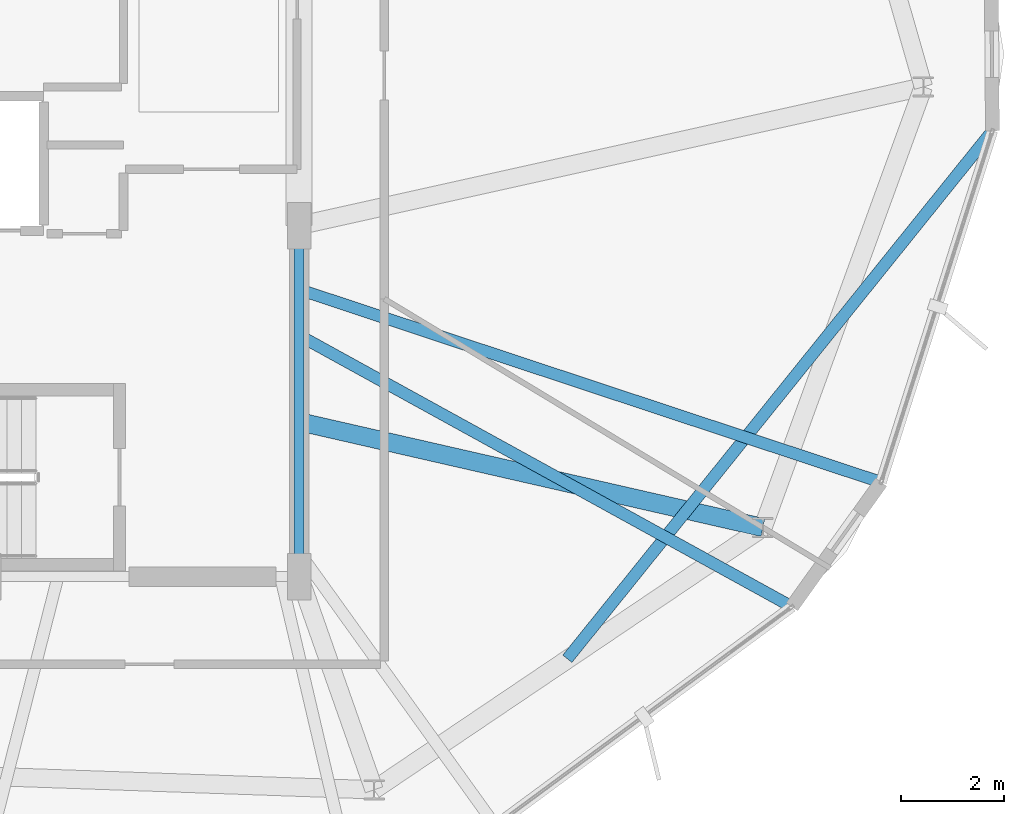
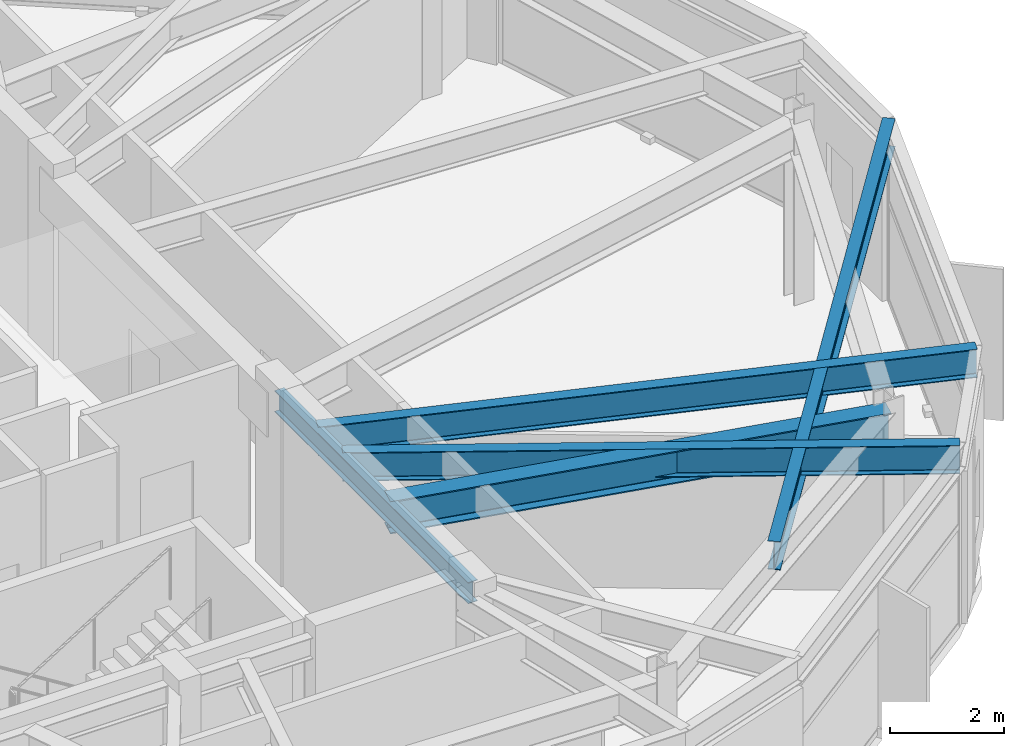
# One storey, part 7 of 22: 5 beams.
"""IFC4 building model written with IfcOpenShell, lengths in metres."""

from ifc_helpers import new_model, si_unit, direction, frame, origin, origin_2d, place, context, subcontext, project, spatial, i_section, extrude, material, material_profile, profile_set, type_object, element, save


model = new_model("IFC4")

# Units and contexts
model_context = context("Model", 3, precision=1e-05, world=origin(), true_north=direction((0.0, 1.0)))
body_context = subcontext(model_context, "Body", "Model", "MODEL_VIEW")
ifc_project = project(units=[si_unit("LENGTHUNIT", "METRE"), si_unit("AREAUNIT", "SQUARE_METRE"), si_unit("VOLUMEUNIT", "CUBIC_METRE"), si_unit("PLANEANGLEUNIT", "RADIAN"), si_unit("MASSUNIT", "GRAM", prefix="KILO")], contexts=[model_context])

# Site, building, storey
site_placement = place(None, origin())
site = spatial("IfcSite", under=ifc_project, at=site_placement, CompositionType="ELEMENT")
building_placement = place(site_placement, origin())
building = spatial("IfcBuilding", under=site, at=building_placement, Name="Soratama Intermodal Tower", CompositionType="ELEMENT")
storey_placement = place(building_placement, frame((0.0, 0.0, 301.449951171875)))
storey = spatial("IfcBuildingStorey", under=building, at=storey_placement, Name="L76", CompositionType="ELEMENT", Elevation=301.449951171875)

# Beams
ifc_material_1 = material(Name="Structural steel ASTM A992 Grade 50", Category="steel")
ifc_material_profile_1 = material_profile(ifc_material_1, i_section(OverallWidth=0.19091796875, OverallDepth=0.4599609375, WebThickness=0.010009765625, FlangeThickness=0.01611328125, FilletRadius=0.010986328125, at=origin_2d()), Name="W18X55")
ifc_profile_set_1 = profile_set([ifc_material_profile_1], Name="Structural steel ASTM A992 Grade 50")
beam_type_1 = type_object("IfcBeamType", Name="BM-FLR-W18X55", PredefinedType="BEAM", material=ifc_profile_set_1)
beam_1_placement = place(storey_placement, frame((44.60009765625, 15.0, 3.6650390625), z_axis=(0.0, 1.0, 0.0), x_axis=(-1.0, 0.0, 0.0)))
element("IfcBeam", 1, at=beam_1_placement, inside=storey, type_object=beam_type_1, Name="BM-L76-CRING-03", PredefinedType="BEAM", context=body_context, shape_type="SweptSolid", body=[
    extrude(i_section(OverallWidth=0.19091796875, OverallDepth=0.4599609375, WebThickness=0.010009765625, FlangeThickness=0.01611328125, FilletRadius=0.010986328125, at=origin_2d()), origin(), (0.0, 0.0, 1.0), 6.800048828125),
])
ifc_material_2 = material(Name="Structural steel ASTM A992 Grade 50", Category="steel")
ifc_material_profile_2 = material_profile(ifc_material_2, i_section(OverallWidth=0.35498046875, OverallDepth=0.695068359375, WebThickness=0.015380859375, FlangeThickness=0.02490234375, FilletRadius=0.01611328125, at=origin_2d()), Name="W27X146")
ifc_profile_set_2 = profile_set([ifc_material_profile_2], Name="Structural steel ASTM A992 Grade 50")
beam_type_2 = type_object("IfcBeamType", Name="BM-RING-W27X146", PredefinedType="BEAM", material=ifc_profile_set_2)
beam_2_placement = place(storey_placement, frame((44.60009765625, 18.0, 3.547607421875), z_axis=(0.974938851068, -0.222473002131, 0.0), x_axis=(0.222473002131, 0.974938851068, 0.0)))
element("IfcBeam", 2, at=beam_2_placement, inside=storey, type_object=beam_type_2, Name="BM-L76-RAD-09", PredefinedType="BEAM", context=body_context, shape_type="SweptSolid", body=[
    extrude(i_section(OverallWidth=0.35498046875, OverallDepth=0.695068359375, WebThickness=0.015380859375, FlangeThickness=0.02490234375, FilletRadius=0.01611328125, at=origin_2d()), origin(), (0.0, 0.0, 1.0), 9.21484375),
])
ifc_material_3 = material(Name="Structural steel ASTM A992 Grade 50", Category="steel")
ifc_material_profile_3 = material_profile(ifc_material_3, i_section(OverallWidth=0.22900390625, OverallDepth=0.612060546875, WebThickness=0.011962890625, FlangeThickness=0.01953125, FilletRadius=0.012939453125, at=origin_2d()), Name="W24X84")
ifc_profile_set_3 = profile_set([ifc_material_profile_3], Name="Structural steel ASTM A992 Grade 50")
beam_type_3 = type_object("IfcBeamType", Name="BM-TIE-W24X84", PredefinedType="BEAM", material=ifc_profile_set_3)
beam_3_placement = place(storey_placement, frame((44.635009765625, 19.652099609375, 3.589111328125), z_axis=(0.875981753836, -0.482344241126, 0.0), x_axis=(0.482344241126, 0.875981753836, 0.0)))
element("IfcBeam", 3, at=beam_3_placement, inside=storey, type_object=beam_type_3, Name="BM-L76-TIE1-07", PredefinedType="BEAM", context=body_context, shape_type="SweptSolid", body=[
    extrude(i_section(OverallWidth=0.22900390625, OverallDepth=0.612060546875, WebThickness=0.011962890625, FlangeThickness=0.01953125, FilletRadius=0.012939453125, at=origin_2d()), origin(), (0.0, 0.0, 1.0), 10.857421875),
])
beam_4_placement = place(storey_placement, frame((44.637939453125, 20.548095703125, 3.589111328125), z_axis=(0.949302440458, -0.314364241828, 0.0), x_axis=(0.314364241828, 0.949302440458, 0.0)))
element("IfcBeam", 4, at=beam_4_placement, inside=storey, type_object=beam_type_3, Name="BM-L76-TIE0-08", PredefinedType="BEAM", context=body_context, shape_type="SweptSolid", body=[
    extrude(i_section(OverallWidth=0.22900390625, OverallDepth=0.612060546875, WebThickness=0.011962890625, FlangeThickness=0.01953125, FilletRadius=0.012939453125, at=origin_2d()), origin(), (0.0, 0.0, 1.0), 11.833984375),
])
beam_5_placement = place(storey_placement, frame((49.794921875, 13.408935546875, 3.589111328125), z_axis=(0.62716600314, 0.778885617087, 0.0), x_axis=(-0.778885617087, 0.62716600314, 0.0)))
element("IfcBeam", 5, at=beam_5_placement, inside=storey, type_object=beam_type_3, Name="BM-L76-TIE1-08", PredefinedType="BEAM", context=body_context, shape_type="SweptSolid", body=[
    extrude(i_section(OverallWidth=0.22900390625, OverallDepth=0.612060546875, WebThickness=0.011962890625, FlangeThickness=0.01953125, FilletRadius=0.012939453125, at=origin_2d()), origin(), (0.0, 0.0, 1.0), 13.129150390625),
])

save(model, "model.ifc")
